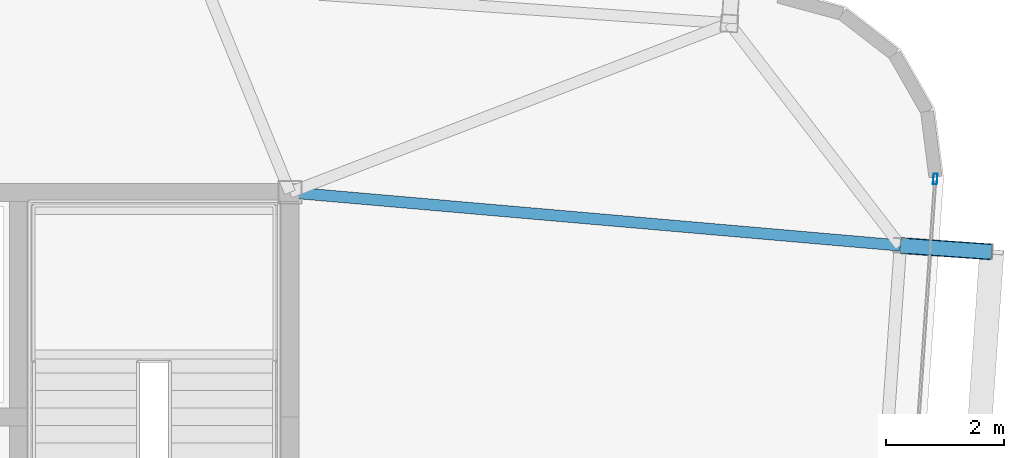
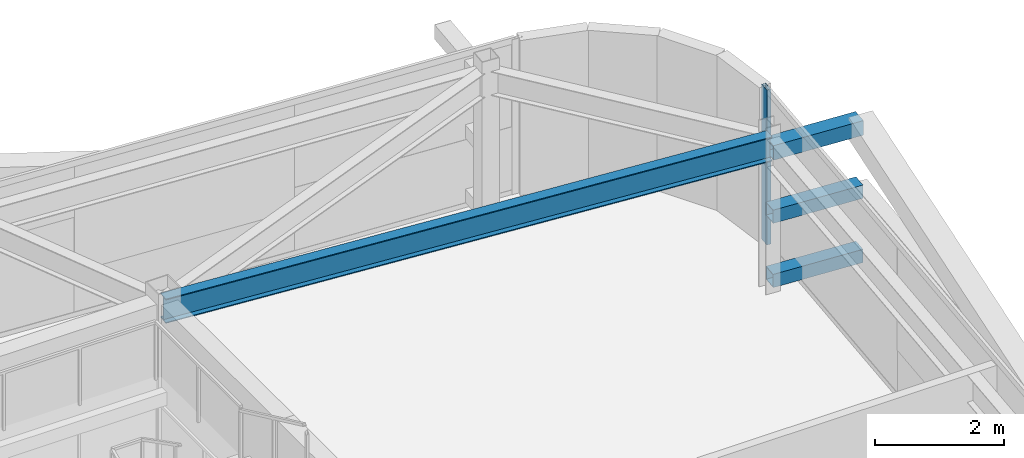
# One storey, part 18 of 39: 4 members, 1 beam, 1 element without a shape of its own.
"""IFC4 building model written with IfcOpenShell, lengths in metres."""

from ifc_helpers import new_model, si_unit, direction, frame, origin, origin_2d, place, context, subcontext, project, spatial, hollow_rectangle, i_section, extrude, source, transform, mapped, material, layer, layer_set, material_profile, profile_set, type_object, element, aggregate, save


model = new_model("IFC4")

# Units and contexts
model_context = context("Model", 3, precision=1e-05, world=origin(), true_north=direction((0.0, 1.0)))
body_context = subcontext(model_context, "Body", "Model", "MODEL_VIEW")
ifc_project = project(units=[si_unit("LENGTHUNIT", "METRE"), si_unit("AREAUNIT", "SQUARE_METRE"), si_unit("VOLUMEUNIT", "CUBIC_METRE"), si_unit("PLANEANGLEUNIT", "RADIAN"), si_unit("MASSUNIT", "GRAM", prefix="KILO")], contexts=[model_context])

# Site, building, storey
site_placement = place(None, origin())
site = spatial("IfcSite", under=ifc_project, at=site_placement, CompositionType="ELEMENT")
building_placement = place(site_placement, origin())
building = spatial("IfcBuilding", under=site, at=building_placement, Name="Taldren Reach Tower", CompositionType="ELEMENT")
storey_placement = place(building_placement, frame((0.0, 0.0, 136.14990234375)))
storey = spatial("IfcBuildingStorey", under=building, at=storey_placement, Name="L41", CompositionType="ELEMENT", Elevation=136.14990234375)

# Members
ifc_material_1 = material(Name="Steel Gr 450 (C450L0)", Category="steel")
ifc_material_profile_1 = material_profile(ifc_material_1, hollow_rectangle(XDim=0.27490234375, YDim=0.27490234375, WallThickness=0.00927734375, at=origin_2d()), Name="275x275x9.3SHS")
ifc_profile_set_1 = profile_set([ifc_material_profile_1], Name="Steel Gr 450 (C450L0)")
member_type_1 = type_object("IfcMemberType", Name="MB-TIE273", PredefinedType="STRUT", material=ifc_profile_set_1)
shared_shape_1 = source(origin(), body_context, "Body", "SweptSolid", [
    extrude(hollow_rectangle(XDim=0.27490234375, YDim=0.27490234375, WallThickness=0.00927734375, at=origin_2d()), origin(), (0.0, 0.0, 1.0), 1.550048828125),
])
member_1_placement = place(storey_placement, frame((61.3310546875, 31.1005859375, 2.650146484375), z_axis=(0.99756313426, -0.06976957191, 0.0), x_axis=(0.06976957191, 0.99756313426, 0.0)))
element("IfcMember", 1, at=member_1_placement, inside=storey, type_object=member_type_1, Name="Exoskeleton diaphragm tie strut B3-E3 L41", PredefinedType="STRUT", context=body_context, shape_type="MappedRepresentation", body=[
    mapped(shared_shape_1, transform((0.0, 0.0, 0.0), scale=1.0)),
])
ifc_material_2 = material(Name="Steel Gr 350 (C350L0)", Category="steel")
ifc_material_profile_2 = material_profile(ifc_material_2, hollow_rectangle(XDim=0.25, YDim=0.25, WallThickness=0.010009765625, at=origin_2d()), Name="250x250x10.0SHS")
ifc_profile_set_2 = profile_set([ifc_material_profile_2], Name="Steel Gr 350 (C350L0)")
member_type_2 = type_object("IfcMemberType", Name="MB-POST250", PredefinedType="POST", material=ifc_profile_set_2)
shared_shape_2 = source(origin(), body_context, "Body", "SweptSolid", [
    extrude(hollow_rectangle(XDim=0.25, YDim=0.25, WallThickness=0.010009765625, at=origin_2d()), origin(), (0.0, 0.0, 1.0), 1.550048828125),
])
for number, where, z_axis, x_axis, name in (
    (2, (61.3310546875, 31.1005859375, 0.22021484375), (0.99756313426, -0.06976957191, 0.0), (0.06976957191, 0.99756313426, 0.0), "Exoskeleton base diaphragm tie strut B3-E3 L41"),
    (3, (61.3310546875, 31.1005859375, 1.43505859375), (0.99756313426, -0.06976957191, 0.0), (0.06976957191, 0.99756313426, 0.0), "Exoskeleton mid-tier diaphragm tie B3-E3 L41"),
):
    element("IfcMember", number, at=place(storey_placement, frame(where, z_axis=z_axis, x_axis=x_axis)), inside=storey, type_object=member_type_2, Name=name, PredefinedType="POST", context=body_context, shape_type="MappedRepresentation", body=[
        mapped(shared_shape_2, transform((0.0, 0.0, 0.0), scale=1.0)),
    ])

# Beam
ifc_material_3 = material(Name="Steel Gr 350 (350PLUS)", Category="steel")
ifc_material_profile_3 = material_profile(ifc_material_3, i_section(OverallWidth=0.19091796875, OverallDepth=0.4599609375, WebThickness=0.010009765625, FlangeThickness=0.01611328125, at=origin_2d()), Name="460UB82.1")
ifc_profile_set_3 = profile_set([ifc_material_profile_3], Name="Steel Gr 350 (350PLUS)")
beam_type = type_object("IfcBeamType", Name="BM-UB460A", PredefinedType="BEAM", material=ifc_profile_set_3)
shared_shape_3 = source(origin(), body_context, "Body", "SweptSolid", [
    extrude(i_section(OverallWidth=0.19091796875, OverallDepth=0.4599609375, WebThickness=0.010009765625, FlangeThickness=0.01611328125, at=origin_2d()), origin(), (0.0, 0.0, 1.0), 10.3701171875),
])
beam_placement = place(storey_placement, frame((51.0, 32.0, 2.7001953125), z_axis=(0.996231748992, -0.086731207186, 0.0), x_axis=(0.086731207186, 0.996231748992, 0.0)))
element("IfcBeam", 4, at=beam_placement, inside=storey, type_object=beam_type, Name="Primary floor girder B3-E3 L41", PredefinedType="BEAM", context=body_context, shape_type="MappedRepresentation", body=[
    mapped(shared_shape_3, transform((0.0, 0.0, 0.0), scale=1.0)),
])

# Curtain wall, member
ifc_material_4 = material(Name="Aluminium and Low-E Glass Unitised System", Category="aluminium")
ifc_layer = layer(ifc_material_4, 0.159912109375)
ifc_layer_set = layer_set([ifc_layer], Name="Aluminium and Low-E Glass Unitised System")
curtain_wall_type = type_object("IfcCurtainWallType", Name="CW-SYS-4", PredefinedType="NOTDEFINED", material=ifc_layer_set)
curtain_wall_placement = place(storey_placement, origin())
curtain_wall = element("IfcCurtainWall", 5, at=curtain_wall_placement, inside=storey, type_object=curtain_wall_type, Name="Unitised curtain wall CW-L41-E", PredefinedType="NOTDEFINED")
ifc_material_5 = material(Name="Anodised Aluminium 6063-T6", Category="aluminium")
ifc_material_profile_4 = material_profile(ifc_material_5, hollow_rectangle(XDim=0.070068359375, YDim=0.179931640625, WallThickness=0.00390625, at=origin_2d()), Name="ALU-180x70x4RHS")
ifc_profile_set_4 = profile_set([ifc_material_profile_4], Name="Anodised Aluminium 6063-T6")
member_type_3 = type_object("IfcMemberType", Name="CW-MUL-180", PredefinedType="MULLION", material=ifc_profile_set_4)
shared_shape_4 = source(origin(), body_context, "Body", "SweptSolid", [
    extrude(hollow_rectangle(XDim=0.070068359375, YDim=0.179931640625, WallThickness=0.00390625, at=origin_2d()), origin(), (0.0, 0.0, 1.0), 2.93017578125),
])
member_2_placement = place(storey_placement, frame((61.921142578125, 32.22705078125, 0.0), z_axis=(0.0, 0.0, 1.0), x_axis=(-0.997564052812, 0.069756437251, 0.0)))
member_2 = element("IfcMember", 6, at=member_2_placement, type_object=member_type_3, Name="CW-4 mullion 3", PredefinedType="MULLION", context=body_context, shape_type="MappedRepresentation", body=[
    mapped(shared_shape_4, transform((0.0, 0.0, 0.0), scale=1.0)),
])
aggregate(curtain_wall, [member_2])

save(model, "model.ifc")
